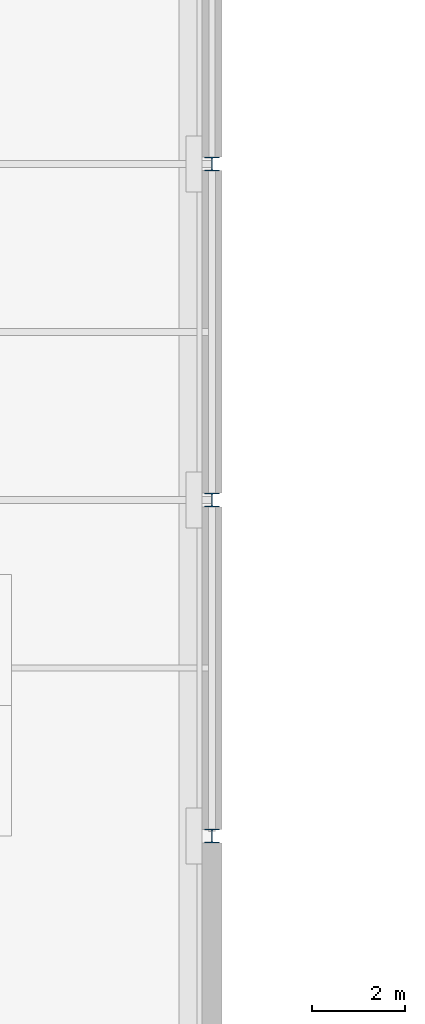
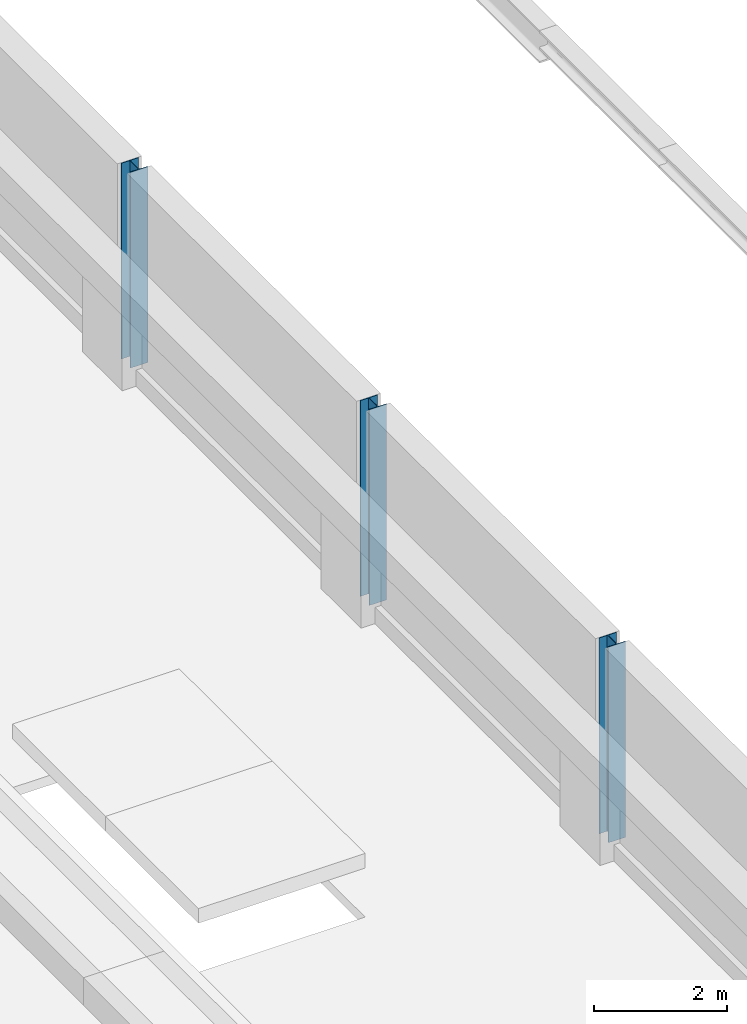
# One storey, part 5 of 110: 3 columns.
"""IFC4 building model written with IfcOpenShell, lengths in metres."""

from ifc_helpers import new_model, si_unit, direction, frame, origin, origin_2d, place, context, subcontext, project, spatial, i_section, extrude, material, material_profile, profile_set, type_object, element, save


model = new_model("IFC4")

# Units and contexts
model_context = context("Model", 3, precision=1e-05, world=origin(), true_north=direction((0.0, 1.0)))
body_context = subcontext(model_context, "Body", "Model", "MODEL_VIEW")
ifc_project = project(units=[si_unit("LENGTHUNIT", "METRE"), si_unit("AREAUNIT", "SQUARE_METRE"), si_unit("VOLUMEUNIT", "CUBIC_METRE"), si_unit("PLANEANGLEUNIT", "RADIAN"), si_unit("MASSUNIT", "GRAM", prefix="KILO")], contexts=[model_context])

# Site, building, storey
site_placement = place(None, origin())
site = spatial("IfcSite", under=ifc_project, at=site_placement, CompositionType="ELEMENT")
building_placement = place(site_placement, origin())
building = spatial("IfcBuilding", under=site, at=building_placement, Name="Kupolbacken Congress Centre", CompositionType="ELEMENT")
storey_placement = place(building_placement, frame((0.0, 0.0, 18.0)))
storey = spatial("IfcBuildingStorey", under=building, at=storey_placement, Name="L05", CompositionType="ELEMENT", Elevation=18.0)

# Columns
ifc_material = material(Name="Steel S355", Category="steel")
ifc_material_profile = material_profile(ifc_material, i_section(OverallWidth=0.300048828125, OverallDepth=0.2900390625, WebThickness=0.008544921875, FlangeThickness=0.013916015625, FilletRadius=0.027099609375, at=origin_2d()), Name="HEA 300")
ifc_profile_set = profile_set([ifc_material_profile], Name="Steel S355")
column_type = type_object("IfcColumnType", Name="C09 column HEA 300", PredefinedType="COLUMN", material=ifc_profile_set)
for number, where, z_axis, x_axis, name in (
    (1, (86.39990234375, 72.0, 0.0), (0.0, 0.0, 1.0), (1.0, 0.0, 0.0), "S/col/C-H-PW05/L05"),
    (2, (86.39990234375, 79.199951171875, 0.0), (0.0, 0.0, 1.0), (1.0, 0.0, 0.0), "S/col/C-H-PW06/L05"),
    (3, (86.39990234375, 86.39990234375, 0.0), (0.0, 0.0, 1.0), (1.0, 0.0, 0.0), "S/col/C-H-PW07/L05"),
):
    element("IfcColumn", number, at=place(storey_placement, frame(where, z_axis=z_axis, x_axis=x_axis)), inside=storey, type_object=column_type, Name=name, PredefinedType="COLUMN", context=body_context, shape_type="SweptSolid", body=[
        extrude(i_section(OverallWidth=0.300048828125, OverallDepth=0.2900390625, WebThickness=0.008544921875, FlangeThickness=0.013916015625, FilletRadius=0.027099609375, at=origin_2d()), origin(), (0.0, 0.0, 1.0), 3.60009765625),
    ])

save(model, "model.ifc")
